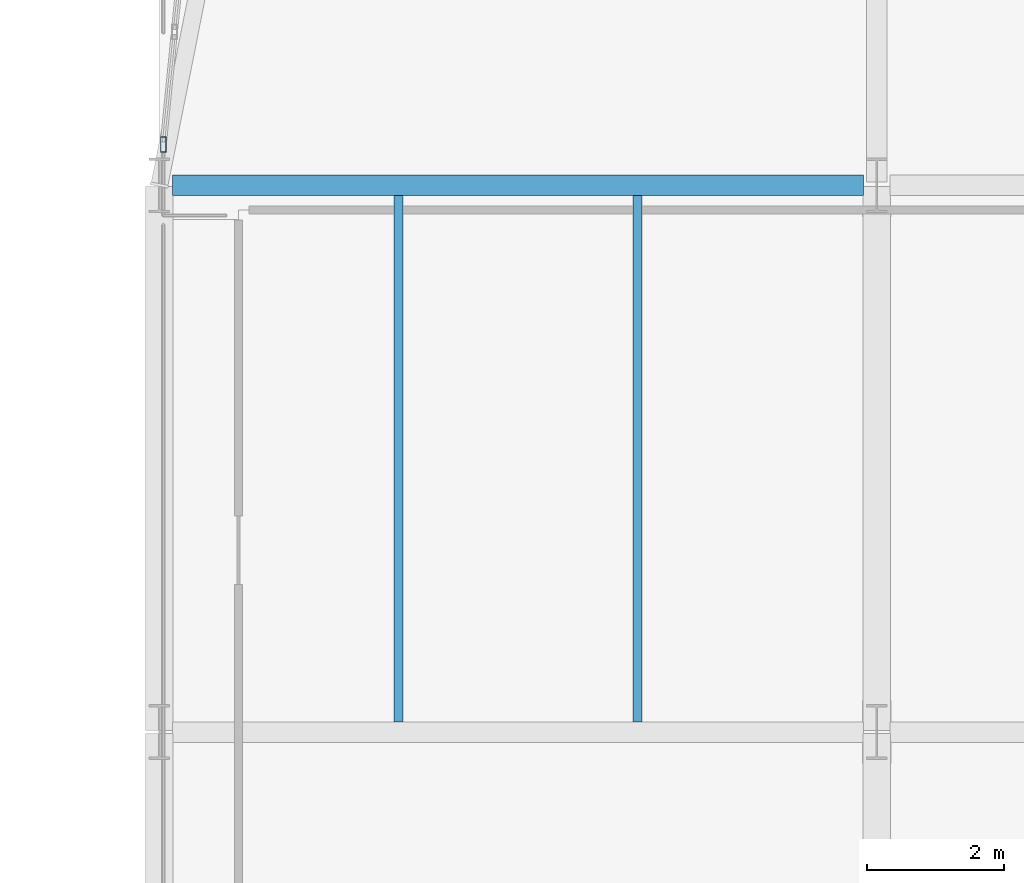
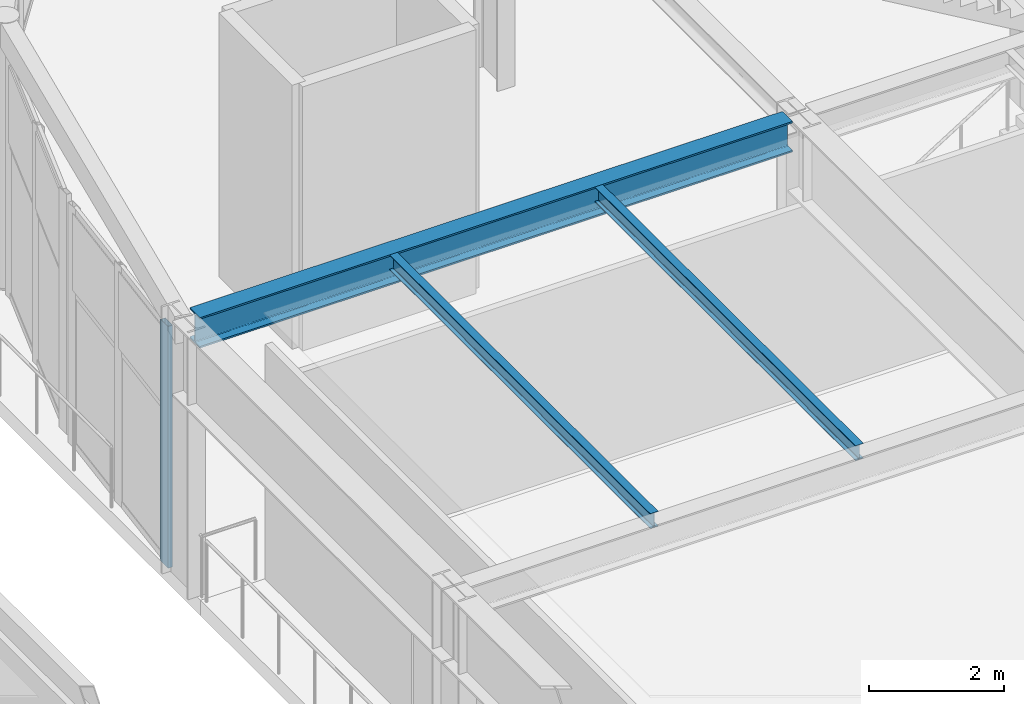
# One storey, part 41 of 143: 3 beams, 1 member, 1 element without a shape of its own.
"""IFC4 building model written with IfcOpenShell, lengths in metres."""

from ifc_helpers import new_model, si_unit, direction, frame, origin, origin_2d, place, context, subcontext, project, spatial, hollow_rectangle, i_section, extrude, material, layer, layer_set, material_profile, profile_set, type_object, element, aggregate, save


model = new_model("IFC4")

# Units and contexts
model_context = context("Model", 3, precision=1e-05, world=origin(), true_north=direction((0.0, 1.0)))
body_context = subcontext(model_context, "Body", "Model", "MODEL_VIEW")
ifc_project = project(units=[si_unit("LENGTHUNIT", "METRE"), si_unit("AREAUNIT", "SQUARE_METRE"), si_unit("VOLUMEUNIT", "CUBIC_METRE"), si_unit("PLANEANGLEUNIT", "RADIAN"), si_unit("MASSUNIT", "GRAM", prefix="KILO")], contexts=[model_context])

# Site, building, storey
site_placement = place(None, origin())
site = spatial("IfcSite", under=ifc_project, at=site_placement, CompositionType="ELEMENT")
building_placement = place(site_placement, origin())
building = spatial("IfcBuilding", under=site, at=building_placement, Name="Marlcrest Central Station", CompositionType="ELEMENT")
storey_placement = place(building_placement, frame((0.0, 0.0, 4.800048828125)))
storey = spatial("IfcBuildingStorey", under=building, at=storey_placement, Name="L01", CompositionType="ELEMENT", Elevation=4.800048828125)

# Beams
ifc_material_1 = material(Name="Steel S355", Category="steel")
ifc_material_profile_1 = material_profile(ifc_material_1, i_section(OverallWidth=0.300048828125, OverallDepth=0.550048828125, WebThickness=0.014892578125, FlangeThickness=0.029052734375, FilletRadius=0.027099609375, at=origin_2d()), Name="HEB 550")
ifc_profile_set_1 = profile_set([ifc_material_profile_1], Name="Steel S355")
beam_type_1 = type_object("IfcBeamType", Name="BM-11", PredefinedType="BEAM", material=ifc_profile_set_1)
beam_placement = place(storey_placement, frame((87.195068359375, 110.5, 4.5400390625), z_axis=(1.0, 0.0, 0.0), x_axis=(0.0, 1.0, 0.0)))
element("IfcBeam", 1, at=beam_placement, inside=storey, type_object=beam_type_1, Name="bm-BM-11-L01-01224", PredefinedType="BEAM", context=body_context, shape_type="SweptSolid", body=[
    extrude(i_section(OverallWidth=0.300048828125, OverallDepth=0.550048828125, WebThickness=0.014892578125, FlangeThickness=0.029052734375, FilletRadius=0.027099609375, at=origin_2d()), origin(), (0.0, 0.0, 1.0), 10.10986328125),
])
ifc_material_profile_2 = material_profile(ifc_material_1, i_section(OverallWidth=0.135009765625, OverallDepth=0.27001953125, WebThickness=0.006591796875, FlangeThickness=0.01025390625, FilletRadius=0.014892578125, at=origin_2d()), Name="IPE 270")
ifc_profile_set_2 = profile_set([ifc_material_profile_2], Name="Steel S355")
beam_type_2 = type_object("IfcBeamType", Name="JS-04", PredefinedType="JOIST", material=ifc_profile_set_2)
for number, where, z_axis, x_axis, name in (
    (2, (90.5, 102.64794921875, 4.679931640625), (0.0, 1.0, 0.0), (-1.0, 0.0, 0.0), "bm-JS-04-L01-01315"),
    (3, (94.0, 102.64794921875, 4.679931640625), (0.0, 1.0, 0.0), (-1.0, 0.0, 0.0), "bm-JS-04-L01-01316"),
):
    element("IfcBeam", number, at=place(storey_placement, frame(where, z_axis=z_axis, x_axis=x_axis)), inside=storey, type_object=beam_type_2, Name=name, PredefinedType="JOIST", context=body_context, shape_type="SweptSolid", body=[
        extrude(i_section(OverallWidth=0.135009765625, OverallDepth=0.27001953125, WebThickness=0.006591796875, FlangeThickness=0.01025390625, FilletRadius=0.014892578125, at=origin_2d()), origin(), (0.0, 0.0, 1.0), 7.7041015625),
    ])

# Curtain wall, member
ifc_material_2 = material(Name="Anodised aluminium and hurricane laminated glass", Category="aluminium")
ifc_layer = layer(ifc_material_2, 0.219970703125, Name="CW-U1")
ifc_layer_set = layer_set([ifc_layer], Name="Anodised aluminium and hurricane laminated glass")
curtain_wall_type = type_object("IfcCurtainWallType", Name="CW-U1", PredefinedType="USERDEFINED", material=ifc_layer_set)
curtain_wall_placement = place(storey_placement, origin())
curtain_wall = element("IfcCurtainWall", 4, at=curtain_wall_placement, inside=storey, type_object=curtain_wall_type, Name="cw-L01-0057", ObjectType="UNITISED_CURTAIN_WALL", PredefinedType="USERDEFINED")
ifc_material_3 = material(Name="Anodised aluminium 6063-T6", Category="aluminium")
ifc_material_profile_3 = material_profile(ifc_material_3, hollow_rectangle(XDim=0.080078125, YDim=0.219970703125, WallThickness=0.006103515625, at=origin_2d()), Name="AA-RHS 220x80x6")
ifc_profile_set_3 = profile_set([ifc_material_profile_3], Name="Anodised aluminium 6063-T6")
member_type = type_object("IfcMemberType", Name="ML-01", PredefinedType="MULLION", material=ifc_profile_set_3)
member_placement = place(storey_placement, frame((87.05908203125, 111.097900390625, -0.030029296875), z_axis=(0.0, 0.0, 1.0), x_axis=(1.0, 0.0, 0.0)))
member = element("IfcMember", 5, at=member_placement, type_object=member_type, Name="cw-L01-0057-ml-0", PredefinedType="MULLION", context=body_context, shape_type="SweptSolid", body=[
    extrude(hollow_rectangle(XDim=0.080078125, YDim=0.219970703125, WallThickness=0.006103515625, at=origin_2d()), origin(), (0.0, 0.0, 1.0), 4.35986328125),
])
aggregate(curtain_wall, [member])

save(model, "model.ifc")
